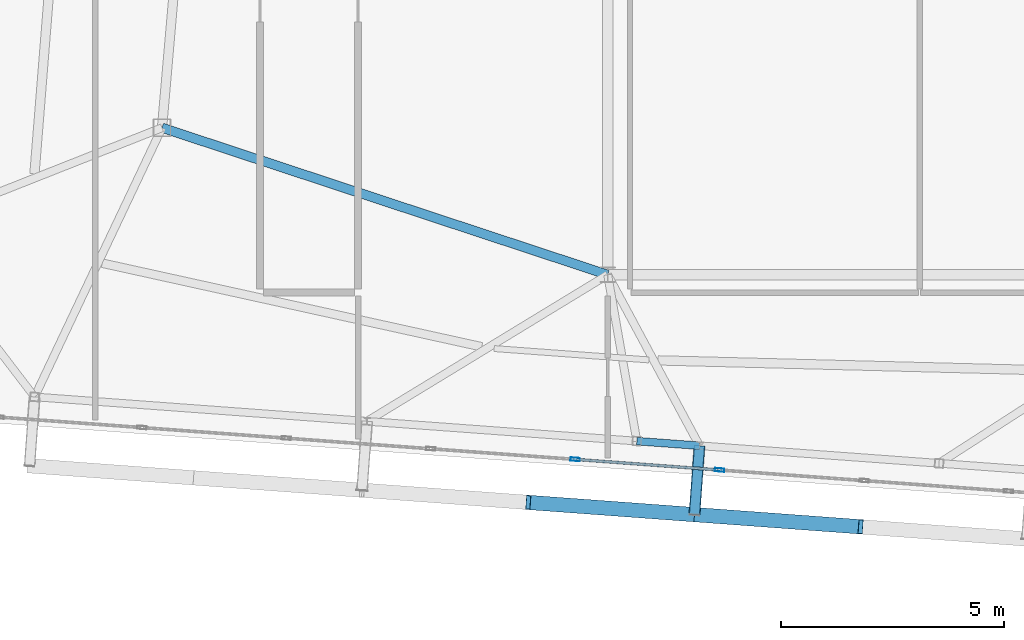
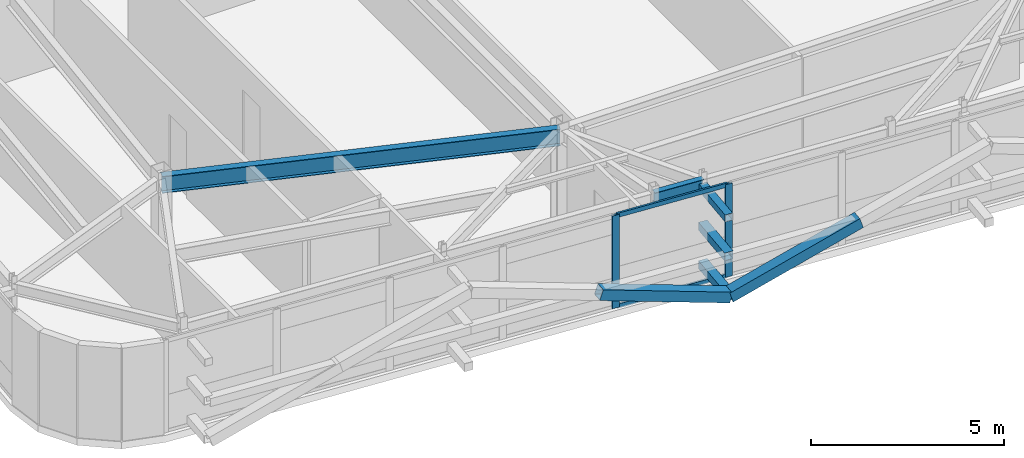
# One storey, part 12 of 42: 9 members, 2 beams, 1 element without a shape of its own.
"""IFC4 building model written with IfcOpenShell, lengths in metres."""

from ifc_helpers import new_model, si_unit, direction, frame, origin, origin_2d, place, context, subcontext, project, spatial, hollow_rectangle, i_section, extrude, source, transform, mapped, material, layer, layer_set, material_profile, profile_set, type_object, element, aggregate, save


model = new_model("IFC4")

# Units and contexts
model_context = context("Model", 3, precision=1e-05, world=origin(), true_north=direction((0.0, 1.0)))
body_context = subcontext(model_context, "Body", "Model", "MODEL_VIEW")
ifc_project = project(units=[si_unit("LENGTHUNIT", "METRE"), si_unit("AREAUNIT", "SQUARE_METRE"), si_unit("VOLUMEUNIT", "CUBIC_METRE"), si_unit("PLANEANGLEUNIT", "RADIAN"), si_unit("MASSUNIT", "GRAM", prefix="KILO")], contexts=[model_context])

# Site, building, storey
site_placement = place(None, origin())
site = spatial("IfcSite", under=ifc_project, at=site_placement, CompositionType="ELEMENT")
building_placement = place(site_placement, origin())
building = spatial("IfcBuilding", under=site, at=building_placement, Name="Taldren Reach Tower", CompositionType="ELEMENT")
storey_placement = place(building_placement, frame((0.0, 0.0, 217.699951171875)))
storey = spatial("IfcBuildingStorey", under=building, at=storey_placement, Name="L66", CompositionType="ELEMENT", Elevation=217.699951171875)

# Beam
ifc_material_1 = material(Name="Steel Gr 350 (350PLUS)", Category="steel")
ifc_material_profile_1 = material_profile(ifc_material_1, i_section(OverallWidth=0.208984375, OverallDepth=0.532958984375, WebThickness=0.01025390625, FlangeThickness=0.015625, at=origin_2d()), Name="530UB92.4")
ifc_profile_set_1 = profile_set([ifc_material_profile_1], Name="Steel Gr 350 (350PLUS)")
beam_type_1 = type_object("IfcBeamType", Name="BM-UB530A", PredefinedType="BEAM", material=ifc_profile_set_1)
shared_shape_1 = source(origin(), body_context, "Body", "SweptSolid", [
    extrude(i_section(OverallWidth=0.208984375, OverallDepth=0.532958984375, WebThickness=0.01025390625, FlangeThickness=0.015625, at=origin_2d()), origin(), (0.0, 0.0, 1.0), 10.530517578125),
])
beam_1_placement = place(storey_placement, frame((18.0, 12.5, 2.66357421875), z_axis=(0.949627269203, -0.313381635689, 0.0), x_axis=(0.313381635689, 0.949627269203, 0.0)))
element("IfcBeam", 1, at=beam_1_placement, inside=storey, type_object=beam_type_1, Name="Core-spine girder L66-SP10", PredefinedType="BEAM", context=body_context, shape_type="MappedRepresentation", body=[
    mapped(shared_shape_1, transform((0.0, 0.0, 0.0), scale=1.0)),
])

# Members
ifc_material_2 = material(Name="Steel Gr 350 (C350L0)", Category="steel")
ifc_material_profile_2 = material_profile(ifc_material_2, hollow_rectangle(XDim=0.25, YDim=0.25, WallThickness=0.010009765625, at=origin_2d()), Name="250x250x10.0SHS")
ifc_profile_set_2 = profile_set([ifc_material_profile_2], Name="Steel Gr 350 (C350L0)")
member_type_1 = type_object("IfcMemberType", Name="MB-POST250", PredefinedType="POST", material=ifc_profile_set_2)
shared_shape_2 = source(origin(), body_context, "Body", "SweptSolid", [
    extrude(hollow_rectangle(XDim=0.25, YDim=0.25, WallThickness=0.010009765625, at=origin_2d()), origin(), (0.0, 0.0, 1.0), 1.5498046875),
])
for number, where, z_axis, x_axis, name in (
    (2, (30.060546875, 5.364501953125, 0.219970703125), (-0.073250797913, -0.997313551801, 0.0), (0.997313551801, -0.073250797913, 0.0), "Exoskeleton base diaphragm tie strut B5-S3 L66"),
    (3, (30.060546875, 5.364501953125, 1.43505859375), (-0.073250797913, -0.997313551801, 0.0), (0.997313551801, -0.073250797913, 0.0), "Exoskeleton mid-tier diaphragm tie B5-S3 L66"),
):
    element("IfcMember", number, at=place(storey_placement, frame(where, z_axis=z_axis, x_axis=x_axis)), inside=storey, type_object=member_type_1, Name=name, PredefinedType="POST", context=body_context, shape_type="MappedRepresentation", body=[
        mapped(shared_shape_2, transform((0.0, 0.0, 0.0), scale=1.0)),
    ])
ifc_material_3 = material(Name="Steel Gr 450 (C450L0)", Category="steel")
ifc_material_profile_3 = material_profile(ifc_material_3, hollow_rectangle(XDim=0.219970703125, YDim=0.219970703125, WallThickness=0.00830078125, at=origin_2d()), Name="220x220x8.2SHS")
ifc_profile_set_3 = profile_set([ifc_material_profile_3], Name="Steel Gr 450 (C450L0)")
member_type_2 = type_object("IfcMemberType", Name="MB-TIE219", PredefinedType="STRUT", material=ifc_profile_set_3)
shared_shape_3 = source(origin(), body_context, "Body", "SweptSolid", [
    extrude(hollow_rectangle(XDim=0.219970703125, YDim=0.219970703125, WallThickness=0.00830078125, at=origin_2d()), origin(), (0.0, 0.0, 1.0), 1.5498046875),
])
member_1_placement = place(storey_placement, frame((30.060546875, 5.364501953125, 2.650146484375), z_axis=(-0.073250797913, -0.997313551801, 0.0), x_axis=(0.997313551801, -0.073250797913, 0.0)))
element("IfcMember", 4, at=member_1_placement, inside=storey, type_object=member_type_2, Name="Exoskeleton diaphragm tie strut B5-S3 L66", PredefinedType="STRUT", context=body_context, shape_type="MappedRepresentation", body=[
    mapped(shared_shape_3, transform((0.0, 0.0, 0.0), scale=1.0)),
])

# Beam
ifc_material_profile_4 = material_profile(ifc_material_1, i_section(OverallWidth=0.172119140625, OverallDepth=0.35888671875, WebThickness=0.008056640625, FlangeThickness=0.012939453125, at=origin_2d()), Name="360UB56.7")
ifc_profile_set_4 = profile_set([ifc_material_profile_4], Name="Steel Gr 350 (350PLUS)")
beam_type_2 = type_object("IfcBeamType", Name="SP-UB360", PredefinedType="SPANDREL", material=ifc_profile_set_4)
shared_shape_4 = source(origin(), body_context, "Body", "SweptSolid", [
    extrude(i_section(OverallWidth=0.172119140625, OverallDepth=0.35888671875, WebThickness=0.008056640625, FlangeThickness=0.012939453125, at=origin_2d()), origin(), (0.0, 0.0, 1.0), 1.41015625),
])
beam_2_placement = place(storey_placement, frame((28.654296875, 5.4677734375, 2.75048828125), z_axis=(0.997314324946, -0.073240270738, 0.0), x_axis=(0.073240270738, 0.997314324946, 0.0)))
element("IfcBeam", 5, at=beam_2_placement, inside=storey, type_object=beam_type_2, Name="Perimeter spandrel B5 PJ1-S3 L66", PredefinedType="SPANDREL", context=body_context, shape_type="MappedRepresentation", body=[
    mapped(shared_shape_4, transform((0.0, 0.0, 0.0), scale=1.0)),
])

# Members
ifc_material_profile_5 = material_profile(ifc_material_3, hollow_rectangle(XDim=0.324951171875, YDim=0.324951171875, WallThickness=0.0126953125, at=origin_2d()), Name="325x325x12.7SHS")
ifc_profile_set_5 = profile_set([ifc_material_profile_5], Name="Steel Gr 450 (C450L0)")
member_type_3 = type_object("IfcMemberType", Name="MB-BR324", PredefinedType="BRACE", material=ifc_profile_set_5)
shared_shape_5 = source(origin(), body_context, "Body", "SweptSolid", [
    extrude(hollow_rectangle(XDim=0.324951171875, YDim=0.324951171875, WallThickness=0.0126953125, at=origin_2d()), origin(), (0.0, 0.0, 1.0), 3.932373046875),
])
for number, where, z_axis, x_axis, name in (
    (6, (29.947021484375, 3.81884765625, 0.219970703125), (-0.948511132845, 0.069657644394, 0.308989390507), (-0.07324169103, -0.997314220642, 0.0), "Exoskeleton Diagrid Brace B5-S2 L66"),
    (7, (29.947021484375, 3.81884765625, 0.219970703125), (0.948511132845, -0.069657644394, 0.308989390507), (0.07324169103, 0.997314220642, 0.0), "Exoskeleton Diagrid Brace B5-S3 L66"),
):
    element("IfcMember", number, at=place(storey_placement, frame(where, z_axis=z_axis, x_axis=x_axis)), inside=storey, type_object=member_type_3, Name=name, PredefinedType="BRACE", context=body_context, shape_type="MappedRepresentation", body=[
        mapped(shared_shape_5, transform((0.0, 0.0, 0.0), scale=1.0)),
    ])

# Curtain wall, members
ifc_material_4 = material(Name="Aluminium and Low-E Glass Unitised System", Category="aluminium")
ifc_layer = layer(ifc_material_4, 0.159912109375)
ifc_layer_set = layer_set([ifc_layer], Name="Aluminium and Low-E Glass Unitised System")
curtain_wall_type = type_object("IfcCurtainWallType", Name="CW-SYS-6", PredefinedType="NOTDEFINED", material=ifc_layer_set)
curtain_wall_placement = place(storey_placement, origin())
curtain_wall = element("IfcCurtainWall", 8, at=curtain_wall_placement, inside=storey, type_object=curtain_wall_type, Name="Unitised curtain wall CW-L66-S", PredefinedType="NOTDEFINED")
ifc_material_5 = material(Name="Anodised Aluminium 6063-T6", Category="aluminium")
ifc_material_profile_6 = material_profile(ifc_material_5, hollow_rectangle(XDim=0.074951171875, YDim=0.2099609375, WallThickness=0.00439453125, at=origin_2d()), Name="ALU-210x75x4.5RHS")
ifc_profile_set_6 = profile_set([ifc_material_profile_6], Name="Anodised Aluminium 6063-T6")
member_type_4 = type_object("IfcMemberType", Name="CW-MUL-200", PredefinedType="MULLION", material=ifc_profile_set_6)
shared_shape_6 = source(origin(), body_context, "Body", "SweptSolid", [
    extrude(hollow_rectangle(XDim=0.074951171875, YDim=0.2099609375, WallThickness=0.00439453125, at=origin_2d()), origin(), (0.0, 0.0, 1.0), 2.929931640625),
])
member_2_placement = place(storey_placement, frame((27.2705078125, 5.05810546875, 0.0), z_axis=(0.0, 0.0, 1.0), x_axis=(0.073238213716, 0.997314476006, 0.0)))
member_2 = element("IfcMember", 9, at=member_2_placement, type_object=member_type_4, Name="CW-6 mullion 5", PredefinedType="MULLION", context=body_context, shape_type="MappedRepresentation", body=[
    mapped(shared_shape_6, transform((0.0, 0.0, 0.0), scale=1.0)),
])
member_3_placement = place(storey_placement, frame((30.51171875, 4.820068359375, 0.0), z_axis=(0.0, 0.0, 1.0), x_axis=(0.073238213716, 0.997314476006, 0.0)))
member_3 = element("IfcMember", 10, at=member_3_placement, type_object=member_type_4, Name="CW-6 mullion 6", PredefinedType="MULLION", context=body_context, shape_type="MappedRepresentation", body=[
    mapped(shared_shape_6, transform((0.0, 0.0, 0.0), scale=1.0)),
])
ifc_material_profile_7 = material_profile(ifc_material_5, hollow_rectangle(XDim=0.06005859375, YDim=0.135009765625, WallThickness=0.00341796875, at=origin_2d()), Name="ALU-135x60x3.5RHS")
ifc_profile_set_7 = profile_set([ifc_material_profile_7], Name="Anodised Aluminium 6063-T6")
member_type_5 = type_object("IfcMemberType", Name="CW-TRN-150", PredefinedType="USERDEFINED", material=ifc_profile_set_7)
shared_shape_7 = source(origin(), body_context, "Body", "SweptSolid", [
    extrude(hollow_rectangle(XDim=0.06005859375, YDim=0.135009765625, WallThickness=0.00341796875, at=origin_2d()), origin(), (0.0, 0.0, 1.0), 3.175048828125),
])
member_4_placement = place(storey_placement, frame((27.307861328125, 5.055419921875, 0.030029296875), z_axis=(0.997311428111, -0.073279706322, 0.0), x_axis=(0.073279706322, 0.997311428111, 0.0)))
member_4 = element("IfcMember", 11, at=member_4_placement, type_object=member_type_5, Name="CW-6 transom 5.1", ObjectType="TRANSOM", PredefinedType="USERDEFINED", context=body_context, shape_type="MappedRepresentation", body=[
    mapped(shared_shape_7, transform((0.0, 0.0, 0.0), scale=1.0)),
])
member_5_placement = place(storey_placement, frame((27.307861328125, 5.055419921875, 2.900146484375), z_axis=(0.997311428111, -0.073279706322, 0.0), x_axis=(0.073279706322, 0.997311428111, 0.0)))
member_5 = element("IfcMember", 12, at=member_5_placement, type_object=member_type_5, Name="CW-6 transom 5.2", ObjectType="TRANSOM", PredefinedType="USERDEFINED", context=body_context, shape_type="MappedRepresentation", body=[
    mapped(shared_shape_7, transform((0.0, 0.0, 0.0), scale=1.0)),
])
aggregate(curtain_wall, [member_2, member_3, member_4, member_5])

save(model, "model.ifc")
